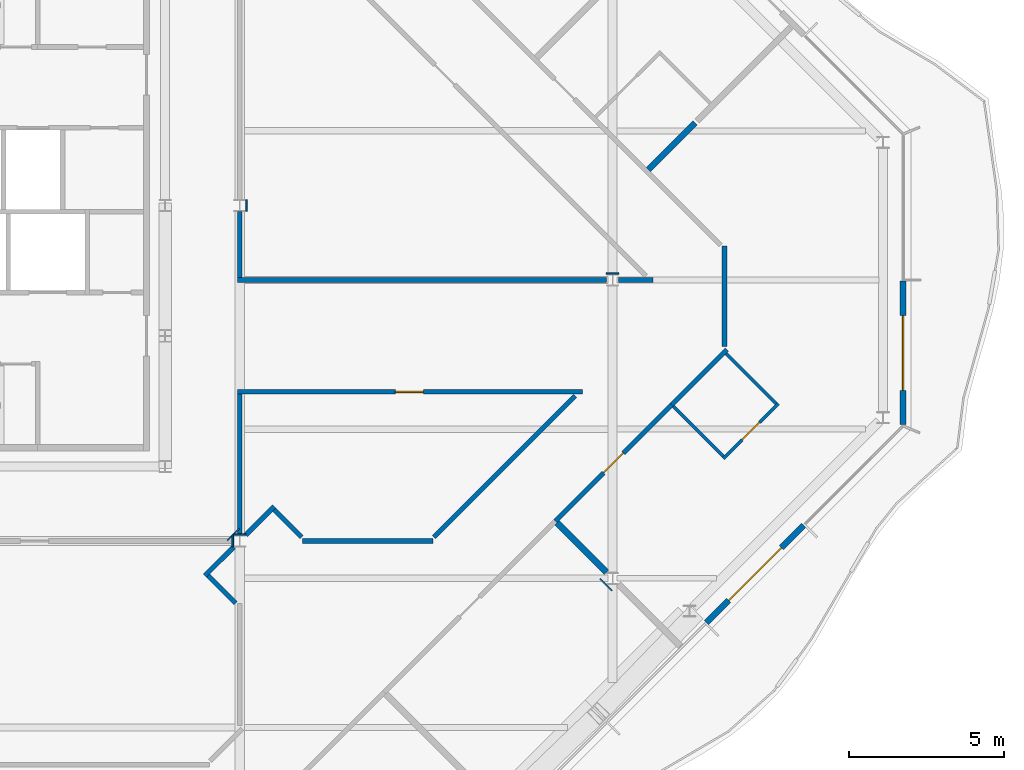
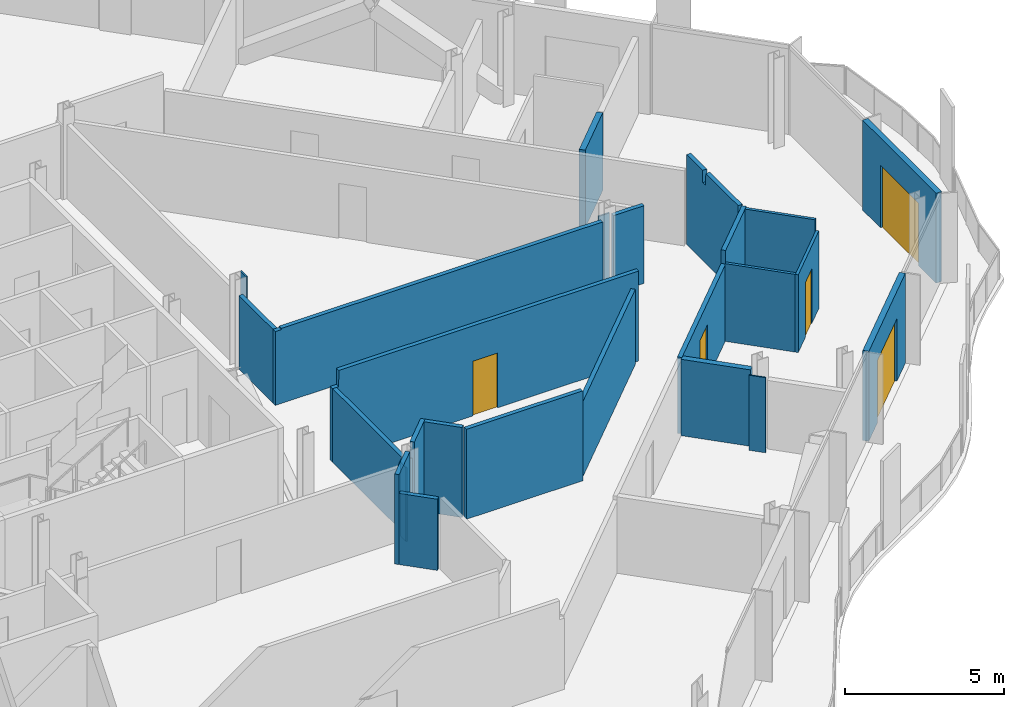
# One storey, part 9 of 16: 27 walls, 5 doors, 5 openings.
"""IFC4 building model written with IfcOpenShell, lengths in metres."""

from ifc_helpers import new_model, si_unit, direction, frame, frame_2d, origin, place, context, subcontext, project, spatial, polyline, rectangle, outline, extrude, material, layer, layer_set, type_object, element, fill, save


model = new_model("IFC4")

# Units and contexts
model_context = context("Model", 3, precision=1e-05, world=origin(), true_north=direction((0.0, 1.0)))
body_context = subcontext(model_context, "Body", "Model", "MODEL_VIEW")
ifc_project = project(units=[si_unit("LENGTHUNIT", "METRE"), si_unit("AREAUNIT", "SQUARE_METRE"), si_unit("VOLUMEUNIT", "CUBIC_METRE"), si_unit("PLANEANGLEUNIT", "RADIAN"), si_unit("MASSUNIT", "GRAM", prefix="KILO")], contexts=[model_context])

# Site, building, storey
site_placement = place(None, origin())
site = spatial("IfcSite", under=ifc_project, at=site_placement, CompositionType="ELEMENT")
building_placement = place(site_placement, origin())
building = spatial("IfcBuilding", under=site, at=building_placement, Name="Cairn Pilgrim Tower", CompositionType="ELEMENT")
storey_placement = place(building_placement, frame((0.0, 0.0, 288.60009765625)))
storey = spatial("IfcBuildingStorey", under=building, at=storey_placement, Name="L74", CompositionType="ELEMENT", Elevation=288.60009765625)

# Wall, opening, door
ifc_material_1 = material(Name="Bronze anodised aluminium insulated sandwich panel with mineral wool fill", Category="aluminium")
ifc_layer_1 = layer(ifc_material_1, 0.199951171875)
ifc_layer_set_1 = layer_set([ifc_layer_1], Name="BRONZE INFILL FRAME WALL 200")
wall_type_1 = type_object("IfcWallType", Name="BRONZE INFILL FRAME WALL 200", PredefinedType="NOTDEFINED", material=ifc_layer_set_1)
wall_1_placement = place(storey_placement, frame((34.219970703125, -11.0263671875, 0.0), z_axis=(0.0, 0.0, 1.0), x_axis=(0.707134329907, 0.707079231393, 0.0)))
wall_1 = element("IfcWall", 1, at=wall_1_placement, inside=storey, type_object=wall_type_1, Name="Bronze infill frame wall IW-SE5", PredefinedType="NOTDEFINED", context=body_context, shape_type="SweptSolid", body=[
    extrude(rectangle(XDim=4.430908203125, YDim=0.199951171875, at=frame_2d((2.21533203125, 0.0))), origin(), (0.0, 0.0, 1.0), 3.449951171875),
])
opening_1_placement = place(wall_1_placement, frame((1.01513671875, 0.0, 0.0)))
opening_1 = element("IfcOpeningElement", 2, at=opening_1_placement, cuts=wall_1, Name="Opening 7403B", PredefinedType="OPENING", context=body_context, shape_type="SweptSolid", body=[
    extrude(rectangle(XDim=2.39990234375, YDim=2.39990234375, at=frame_2d((1.199951171875, 1.199951171875))), frame((0.0, 0.10986328125, 0.0), z_axis=(0.0, -1.0, 0.0), x_axis=(1.0, 0.0, 0.0)), (0.0, 0.0, 1.0), 0.219970703125),
])
ifc_material_2 = material(Name="Bronze anodised aluminium frame with tinted low-E glass", Category="aluminium")
door_type_1 = type_object("IfcDoorType", Name="BALCONY SLIDING DOOR 2400x2400", OperationType="DOUBLE_DOOR_SLIDING", PredefinedType="DOOR", material=ifc_material_2)
door_1_placement = place(opening_1_placement, origin())
door_1 = element("IfcDoor", 3, at=door_1_placement, inside=storey, type_object=door_type_1, Name="Balcony sliding door 7403B", OperationType="SINGLE_SWING_LEFT", OverallHeight=2.39990234375, OverallWidth=2.39990234375, PredefinedType="DOOR", context=body_context, shape_type="SweptSolid", body=[
    extrude(rectangle(XDim=2.39990234375, YDim=2.39990234375, at=frame_2d((1.199951171875, 1.199951171875))), frame((0.0, 0.02490234375, 0.0), z_axis=(0.0, -1.0, 0.0), x_axis=(1.0, 0.0, 0.0)), (0.0, 0.0, 1.0), 0.050048828125),
])
fill(opening_1, door_1)

wall_2_placement = place(storey_placement, frame((40.550048828125, -4.656494140625, 0.0), z_axis=(0.0, 0.0, 1.0), x_axis=(0.0, 1.0, 0.0)))
wall_2 = element("IfcWall", 4, at=wall_2_placement, inside=storey, type_object=wall_type_1, Name="Bronze infill frame wall IW-E1", PredefinedType="NOTDEFINED", context=body_context, shape_type="SweptSolid", body=[
    extrude(rectangle(XDim=4.62646484375, YDim=0.199951171875, at=frame_2d((2.313232421875, 0.0))), origin(), (0.0, 0.0, 1.0), 3.449951171875),
])
opening_2_placement = place(wall_2_placement, frame((1.1083984375, 0.0, 0.0)))
opening_2 = element("IfcOpeningElement", 5, at=opening_2_placement, cuts=wall_2, Name="Opening 7403B2", PredefinedType="OPENING", context=body_context, shape_type="SweptSolid", body=[
    extrude(rectangle(XDim=2.39990234375, YDim=2.39990234375, at=frame_2d((1.199951171875, 1.199951171875))), frame((0.0, 0.10986328125, 0.0), z_axis=(0.0, -1.0, 0.0), x_axis=(1.0, 0.0, 0.0)), (0.0, 0.0, 1.0), 0.219970703125),
])
door_2_placement = place(opening_2_placement, origin())
door_2 = element("IfcDoor", 6, at=door_2_placement, inside=storey, type_object=door_type_1, Name="Balcony sliding door 7403B2", OperationType="SINGLE_SWING_LEFT", OverallHeight=2.39990234375, OverallWidth=2.39990234375, PredefinedType="DOOR", context=body_context, shape_type="SweptSolid", body=[
    extrude(rectangle(XDim=2.39990234375, YDim=2.39990234375, at=frame_2d((1.199951171875, 1.199951171875))), frame((0.0, 0.02490234375, 0.0), z_axis=(0.0, -1.0, 0.0), x_axis=(1.0, 0.0, 0.0)), (0.0, 0.0, 1.0), 0.050048828125),
])
fill(opening_2, door_2)

# Wall
ifc_material_3 = material(Name="Gypsum partition")
ifc_layer_2 = layer(ifc_material_3, 0.10009765625)
ifc_layer_set_2 = layer_set([ifc_layer_2], Name="PARTITION 100 DRYWALL")
wall_type_2 = type_object("IfcWallType", Name="PARTITION 100 DRYWALL", PredefinedType="PARTITIONING", material=ifc_layer_set_2)
wall_3_placement = place(storey_placement, frame((34.7646484375, -5.673583984375, 0.0), z_axis=(0.0, 0.0, 1.0), x_axis=(-0.707106781187, 0.707106781187, 0.0)))
element("IfcWall", 7, at=wall_3_placement, inside=storey, type_object=wall_type_2, Name="PARTITION W032", PredefinedType="PARTITIONING", context=body_context, shape_type="SweptSolid", body=[
    extrude(rectangle(XDim=2.27490234375, YDim=0.10009765625, at=frame_2d((1.137451171875, 0.0))), origin(), (0.0, 0.0, 1.0), 2.97998046875),
])

# Wall, opening, door
wall_4_placement = place(storey_placement, frame((34.7646484375, -5.744384765625, 0.0), z_axis=(0.0, 0.0, 1.0), x_axis=(0.707106781187, 0.707106781187, 0.0)))
wall_4 = element("IfcWall", 8, at=wall_4_placement, inside=storey, type_object=wall_type_2, Name="PARTITION W033", PredefinedType="PARTITIONING", context=body_context, shape_type="SweptSolid", body=[
    extrude(rectangle(XDim=2.499755859375, YDim=0.10009765625, at=frame_2d((1.25, 0.0))), origin(), (0.0, 0.0, 1.0), 2.97998046875),
])
opening_3_placement = place(wall_4_placement, frame((0.85009765625, 0.0, 0.0)))
opening_3 = element("IfcOpeningElement", 9, at=opening_3_placement, cuts=wall_4, Name="Opening 7403A", PredefinedType="OPENING", context=body_context, shape_type="SweptSolid", body=[
    extrude(rectangle(XDim=0.800048828125, YDim=2.10009765625, at=frame_2d((0.39990234375, 1.050048828125))), frame((0.0, 0.06005859375, 0.0), z_axis=(0.0, -1.0, 0.0), x_axis=(1.0, 0.0, 0.0)), (0.0, 0.0, 1.0), 0.1201171875),
])
ifc_material_4 = material(Name="Timber door leaf", Category="wood")
door_type_2 = type_object("IfcDoorType", Name="WC DOOR 800x2100", OperationType="NOTDEFINED", PredefinedType="DOOR", material=ifc_material_4)
door_3_placement = place(opening_3_placement, frame((0.800048828125, 0.0, 0.0), z_axis=(0.0, 0.0, 1.0), x_axis=(-1.0, 0.0, 0.0)))
door_3 = element("IfcDoor", 10, at=door_3_placement, inside=storey, type_object=door_type_2, Name="DOOR 7403A", OperationType="SINGLE_SWING_LEFT", OverallHeight=2.10009765625, OverallWidth=0.800048828125, PredefinedType="DOOR", context=body_context, shape_type="SweptSolid", body=[
    extrude(rectangle(XDim=0.800048828125, YDim=2.10009765625, at=frame_2d((0.39990234375, 1.050048828125))), frame((0.0, 0.02490234375, 0.0), z_axis=(0.0, -1.0, 0.0), x_axis=(1.0, 0.0, 0.0)), (0.0, 0.0, 1.0), 0.050048828125),
])
fill(opening_3, door_3)

# Walls
wall_5_placement = place(storey_placement, frame((36.461669921875, -3.9765625, 0.0), z_axis=(0.0, 0.0, 1.0), x_axis=(-0.707106781187, 0.707106781187, 0.0)))
element("IfcWall", 11, at=wall_5_placement, inside=storey, type_object=wall_type_2, Name="PARTITION W035", PredefinedType="PARTITIONING", context=body_context, shape_type="SweptSolid", body=[
    extrude(rectangle(XDim=2.27490234375, YDim=0.10009765625, at=frame_2d((1.137451171875, 0.0))), origin(), (0.0, 0.0, 1.0), 3.449951171875),
])
ifc_layer_3 = layer(ifc_material_3, 0.14990234375)
ifc_layer_set_3 = layer_set([ifc_layer_3], Name="PARTITION 150 DRYWALL EI 60")
wall_type_3 = type_object("IfcWallType", Name="PARTITION 150 DRYWALL EI 60", PredefinedType="PARTITIONING", material=ifc_layer_set_3)
wall_6_placement = place(storey_placement, frame((19.072021484375, -10.39306640625, 0.0), z_axis=(0.0, 0.0, 1.0), x_axis=(-0.70740114323, 0.706812296552, 0.0)))
element("IfcWall", 12, at=wall_6_placement, inside=storey, type_object=wall_type_3, Name="PARTITION W019", PredefinedType="PARTITIONING", context=body_context, shape_type="SweptSolid", body=[
    extrude(rectangle(XDim=1.243896484375, YDim=0.14990234375, at=frame_2d((0.6220703125, 0.0))), origin(), (0.0, 0.0, 1.0), 2.72998046875),
])
wall_7_placement = place(storey_placement, frame((18.0859375, -9.513916015625, 0.0), z_axis=(0.0, 0.0, 1.0), x_axis=(0.707200419109, 0.707013130862, 0.0)))
element("IfcWall", 13, at=wall_7_placement, inside=storey, type_object=wall_type_3, Name="PARTITION W020", PredefinedType="PARTITIONING", context=body_context, shape_type="SweptSolid", body=[
    extrude(rectangle(XDim=1.303466796875, YDim=0.14990234375, at=frame_2d((0.65185546875, 0.0))), origin(), (0.0, 0.0, 1.0), 3.449951171875),
])
wall_8_placement = place(storey_placement, frame((21.215087890625, -8.39990234375, 0.0), z_axis=(0.0, 0.0, 1.0), x_axis=(1.0, 0.0, 0.0)))
element("IfcWall", 14, at=wall_8_placement, inside=storey, type_object=wall_type_3, Name="PARTITION W025", PredefinedType="PARTITIONING", context=body_context, shape_type="SweptSolid", body=[
    extrude(rectangle(XDim=4.2119140625, YDim=0.14990234375, at=frame_2d((2.10595703125, 0.0))), origin(), (0.0, 0.0, 1.0), 3.449951171875),
])
wall_9_placement = place(storey_placement, frame((21.193115234375, -8.27197265625, 0.0), z_axis=(0.0, 0.0, 1.0), x_axis=(-0.706812296552, 0.70740114323, 0.0)))
element("IfcWall", 15, at=wall_9_placement, inside=storey, type_object=wall_type_3, Name="PARTITION W026", PredefinedType="PARTITIONING", context=body_context, shape_type="SweptSolid", body=[
    extrude(rectangle(XDim=1.243896484375, YDim=0.14990234375, at=frame_2d((0.6220703125, 0.0))), origin(), (0.0, 0.0, 1.0), 3.449951171875),
])
wall_10_placement = place(storey_placement, frame((25.448974609375, -8.27197265625, 0.0), z_axis=(0.0, 0.0, 1.0), x_axis=(0.707106781187, 0.707106781187, 0.0)))
element("IfcWall", 16, at=wall_10_placement, inside=storey, type_object=wall_type_3, Name="PARTITION W027", PredefinedType="PARTITIONING", context=body_context, shape_type="SweptSolid", body=[
    extrude(rectangle(XDim=6.426025390625, YDim=0.14990234375, at=frame_2d((3.212890625, 0.0))), origin(), (0.0, 0.0, 1.0), 2.8798828125),
])
wall_11_placement = place(storey_placement, frame((19.199951171875, -8.21240234375, 0.0), z_axis=(0.0, 0.0, 1.0), x_axis=(0.0, 1.0, 0.0)))
element("IfcWall", 17, at=wall_11_placement, inside=storey, type_object=wall_type_3, Name="PARTITION W029", PredefinedType="PARTITIONING", context=body_context, shape_type="SweptSolid", body=[
    extrude(rectangle(XDim=4.537353515625, YDim=0.14990234375, at=frame_2d((2.2685546875, 0.0))), origin(), (0.0, 0.0, 1.0), 2.829833984375),
])
wall_12_placement = place(storey_placement, frame((19.392333984375, -8.207763671875, 0.0), z_axis=(0.0, 0.0, 1.0), x_axis=(0.707106781187, 0.707106781187, 0.0)))
element("IfcWall", 18, at=wall_12_placement, inside=storey, type_object=wall_type_3, Name="PARTITION W030", PredefinedType="PARTITIONING", context=body_context, shape_type="SweptSolid", body=[
    extrude(rectangle(XDim=1.3037109375, YDim=0.14990234375, at=frame_2d((0.65185546875, 0.0))), origin(), (0.0, 0.0, 1.0), 3.449951171875),
])

# Wall, opening, door
wall_13_placement = place(storey_placement, frame((29.35693359375, -7.757080078125, 0.0), z_axis=(0.0, 0.0, 1.0), x_axis=(0.707198954395, 0.707014595961, 0.0)))
wall_13 = element("IfcWall", 19, at=wall_13_placement, inside=storey, type_object=wall_type_3, Name="PARTITION W031", PredefinedType="PARTITIONING", context=body_context, shape_type="SweptSolid", body=[
    extrude(rectangle(XDim=5.297119140625, YDim=0.14990234375, at=frame_2d((2.6484375, 0.0))), origin(), (0.0, 0.0, 1.0), 2.929931640625),
])
opening_4_placement = place(wall_13_placement, frame((2.197998046875, 0.0, 0.0)))
opening_4 = element("IfcOpeningElement", 20, at=opening_4_placement, cuts=wall_13, Name="Opening 7403", PredefinedType="OPENING", context=body_context, shape_type="SweptSolid", body=[
    extrude(rectangle(XDim=0.89990234375, YDim=2.10009765625, at=frame_2d((0.449951171875, 1.050048828125))), frame((0.0, 0.0849609375, 0.0), z_axis=(0.0, -1.0, 0.0), x_axis=(1.0, 0.0, 0.0)), (0.0, 0.0, 1.0), 0.169921875),
])
door_type_3 = type_object("IfcDoorType", Name="ROOM DOOR 900x2100 FD30S", OperationType="NOTDEFINED", PredefinedType="DOOR", material=ifc_material_4)
door_4_placement = place(opening_4_placement, frame((0.89990234375, 0.0, 0.0), z_axis=(0.0, 0.0, 1.0), x_axis=(-1.0, 0.0, 0.0)))
door_4 = element("IfcDoor", 21, at=door_4_placement, inside=storey, type_object=door_type_3, Name="DOOR 7403", OperationType="SINGLE_SWING_LEFT", OverallHeight=2.10009765625, OverallWidth=0.89990234375, PredefinedType="DOOR", context=body_context, shape_type="SweptSolid", body=[
    extrude(rectangle(XDim=0.89990234375, YDim=2.10009765625, at=frame_2d((0.449951171875, 1.050048828125))), frame((0.0, 0.02490234375, 0.0), z_axis=(0.0, -1.0, 0.0), x_axis=(1.0, 0.0, 0.0)), (0.0, 0.0, 1.0), 0.050048828125),
])
fill(opening_4, door_4)

# Wall
wall_14_placement = place(storey_placement, frame((33.10302734375, -4.011962890625, 0.0), z_axis=(0.0, 0.0, 1.0), x_axis=(0.707106781187, 0.707106781187, 0.0)))
element("IfcWall", 22, at=wall_14_placement, inside=storey, type_object=wall_type_3, Name="PARTITION W034", PredefinedType="PARTITIONING", context=body_context, shape_type="SweptSolid", body=[
    extrude(rectangle(XDim=2.505859375, YDim=0.14990234375, at=frame_2d((1.2529296875, 0.0))), origin(), (0.0, 0.0, 1.0), 3.449951171875),
])

# Wall, opening, door
wall_15_placement = place(storey_placement, frame((19.125, -3.60009765625, 0.0), z_axis=(0.0, 0.0, 1.0), x_axis=(1.0, 0.0, 0.0)))
wall_15 = element("IfcWall", 23, at=wall_15_placement, inside=storey, type_object=wall_type_3, Name="PARTITION W036", PredefinedType="PARTITIONING", context=body_context, shape_type="SweptSolid", body=[
    extrude(outline(polyline([(0.0, 0.0), (11.10205078125, 0.0), (11.10205078125, 3.449951171875), (0.22509765625, 3.449951171875), (0.222900390625, 2.829833984375), (0.0, 2.829833984375), (0.0, 0.0)])), frame((0.0, 0.074951171875, 0.0), z_axis=(0.0, -1.0, 0.0), x_axis=(1.0, 0.0, 0.0)), (0.0, 0.0, 1.0), 0.14990234375),
])
opening_5_placement = place(wall_15_placement, frame((5.0859375, 0.0, 0.0)))
opening_5 = element("IfcOpeningElement", 24, at=opening_5_placement, cuts=wall_15, Name="Opening 7411", PredefinedType="OPENING", context=body_context, shape_type="SweptSolid", body=[
    extrude(rectangle(XDim=0.89990234375, YDim=2.10009765625, at=frame_2d((0.449951171875, 1.050048828125))), frame((0.0, 0.0849609375, 0.0), z_axis=(0.0, -1.0, 0.0), x_axis=(1.0, 0.0, 0.0)), (0.0, 0.0, 1.0), 0.169921875),
])
door_type_4 = type_object("IfcDoorType", Name="SERVICE DOOR 900x2100 FD30S", OperationType="NOTDEFINED", PredefinedType="DOOR", material=ifc_material_4)
door_5_placement = place(opening_5_placement, frame((0.89990234375, 0.0, 0.0), z_axis=(0.0, 0.0, 1.0), x_axis=(-1.0, 0.0, 0.0)))
door_5 = element("IfcDoor", 25, at=door_5_placement, inside=storey, type_object=door_type_4, Name="DOOR 7411", OperationType="SINGLE_SWING_RIGHT", OverallHeight=2.10009765625, OverallWidth=0.89990234375, PredefinedType="DOOR", context=body_context, shape_type="SweptSolid", body=[
    extrude(rectangle(XDim=0.89990234375, YDim=2.10009765625, at=frame_2d((0.449951171875, 1.050048828125))), frame((0.0, 0.02490234375, 0.0), z_axis=(0.0, -1.0, 0.0), x_axis=(1.0, 0.0, 0.0)), (0.0, 0.0, 1.0), 0.050048828125),
])
fill(opening_5, door_5)

# Walls
wall_16_placement = place(storey_placement, frame((34.800048828125, -2.1337890625, 0.0), z_axis=(0.0, 0.0, 1.0), x_axis=(0.0, 1.0, 0.0)))
element("IfcWall", 26, at=wall_16_placement, inside=storey, type_object=wall_type_3, Name="PARTITION W037", PredefinedType="PARTITIONING", context=body_context, shape_type="SweptSolid", body=[
    extrude(outline(polyline([(0.0, 0.0), (3.23388671875, 0.0), (3.23388671875, 3.449951171875), (2.22900390625, 3.449951171875), (2.226806640625, 2.97998046875), (2.038818359375, 2.97998046875), (2.036865234375, 3.449951171875), (0.0, 3.449951171875), (0.0, 0.0)])), frame((0.0, 0.074951171875, 0.0), z_axis=(0.0, -1.0, 0.0), x_axis=(1.0, 0.0, 0.0)), (0.0, 0.0, 1.0), 0.14990234375),
])
wall_17_placement = place(storey_placement, frame((19.125, 0.0, 0.0), z_axis=(0.0, 0.0, 1.0), x_axis=(1.0, 0.0, 0.0)))
element("IfcWall", 27, at=wall_17_placement, inside=storey, type_object=wall_type_3, Name="PARTITION W038", PredefinedType="PARTITIONING", context=body_context, shape_type="SweptSolid", body=[
    extrude(outline(polyline([(0.0, 0.0), (11.8779296875, 0.0), (11.8779296875, 2.8798828125), (0.22509765625, 2.8798828125), (0.222900390625, 2.829833984375), (0.0, 2.829833984375), (0.0, 0.0)])), frame((0.0, 0.074951171875, 0.0), z_axis=(0.0, -1.0, 0.0), x_axis=(1.0, 0.0, 0.0)), (0.0, 0.0, 1.0), 0.14990234375),
])
wall_18_placement = place(storey_placement, frame((31.39697265625, 0.0, 0.0), z_axis=(0.0, 0.0, 1.0), x_axis=(1.0, 0.0, 0.0)))
element("IfcWall", 28, at=wall_18_placement, inside=storey, type_object=wall_type_3, Name="PARTITION W039", PredefinedType="PARTITIONING", context=body_context, shape_type="SweptSolid", body=[
    extrude(rectangle(XDim=1.109130859375, YDim=0.14990234375, at=frame_2d((0.5546875, 0.0))), origin(), (0.0, 0.0, 1.0), 2.97998046875),
])
wall_19_placement = place(storey_placement, frame((19.199951171875, 0.074951171875, 0.0), z_axis=(0.0, 0.0, 1.0), x_axis=(0.0, 1.0, 0.0)))
element("IfcWall", 29, at=wall_19_placement, inside=storey, type_object=wall_type_3, Name="PARTITION W040", PredefinedType="PARTITIONING", context=body_context, shape_type="SweptSolid", body=[
    extrude(rectangle(XDim=2.137451171875, YDim=0.14990234375, at=frame_2d((1.06884765625, 0.0))), origin(), (0.0, 0.0, 1.0), 2.829833984375),
])
ifc_layer_4 = layer(ifc_material_3, 0.050048828125)
ifc_layer_set_4 = layer_set([ifc_layer_4], Name="PARTITION 50 DRYWALL EI 60")
wall_type_4 = type_object("IfcWallType", Name="PARTITION 50 DRYWALL EI 60", PredefinedType="PARTITIONING", material=ifc_layer_set_4)
wall_20_placement = place(storey_placement, frame((31.182373046875, -10.002197265625, 0.0), z_axis=(0.0, 0.0, 1.0), x_axis=(-0.707106781187, 0.707106781187, 0.0)))
element("IfcWall", 30, at=wall_20_placement, inside=storey, type_object=wall_type_4, Name="COLUMN CASING WC02", PredefinedType="PARTITIONING", context=body_context, shape_type="SweptSolid", body=[
    extrude(rectangle(XDim=0.543701171875, YDim=0.050048828125, at=frame_2d((0.27197265625, 0.0))), origin(), (0.0, 0.0, 1.0), 2.8798828125),
])
wall_21_placement = place(storey_placement, frame((18.7978515625, -8.38232421875, 0.0), z_axis=(0.0, 0.0, 1.0), x_axis=(0.707106781187, 0.707106781187, 0.0)))
element("IfcWall", 31, at=wall_21_placement, inside=storey, type_object=wall_type_4, Name="COLUMN CASING WC04", PredefinedType="PARTITIONING", context=body_context, shape_type="SweptSolid", body=[
    extrude(rectangle(XDim=0.543701171875, YDim=0.050048828125, at=frame_2d((0.27197265625, 0.0))), origin(), (0.0, 0.0, 1.0), 2.829833984375),
])
wall_22_placement = place(storey_placement, frame((19.0029296875, -8.1875, 0.0), z_axis=(0.0, 0.0, 1.0), x_axis=(1.0, 0.0, 0.0)))
element("IfcWall", 32, at=wall_22_placement, inside=storey, type_object=wall_type_4, Name="COLUMN CASING WC10", PredefinedType="PARTITIONING", context=body_context, shape_type="SweptSolid", body=[
    extrude(rectangle(XDim=0.39404296875, YDim=0.050048828125, at=frame_2d((0.197021484375, 0.0))), origin(), (0.0, 0.0, 1.0), 2.829833984375),
])
wall_23_placement = place(storey_placement, frame((18.97802734375, -8.58740234375, 0.0), z_axis=(0.0, 0.0, 1.0), x_axis=(0.0, 1.0, 0.0)))
element("IfcWall", 33, at=wall_23_placement, inside=storey, type_object=wall_type_4, Name="COLUMN CASING WC11", PredefinedType="PARTITIONING", context=body_context, shape_type="SweptSolid", body=[
    extrude(rectangle(XDim=0.375, YDim=0.050048828125, at=frame_2d((0.1875, 0.0))), origin(), (0.0, 0.0, 1.0), 2.829833984375),
])
wall_24_placement = place(storey_placement, frame((31.0029296875, 0.21240234375, 0.0), z_axis=(0.0, 0.0, 1.0), x_axis=(1.0, 0.0, 0.0)))
element("IfcWall", 34, at=wall_24_placement, inside=storey, type_object=wall_type_4, Name="COLUMN CASING WC12", PredefinedType="PARTITIONING", context=body_context, shape_type="SweptSolid", body=[
    extrude(rectangle(XDim=0.39404296875, YDim=0.050048828125, at=frame_2d((0.197021484375, 0.0))), origin(), (0.0, 0.0, 1.0), 2.929931640625),
])
wall_25_placement = place(storey_placement, frame((19.422119140625, 2.21240234375, 0.0), z_axis=(0.0, 0.0, 1.0), x_axis=(0.0, 1.0, 0.0)))
element("IfcWall", 35, at=wall_25_placement, inside=storey, type_object=wall_type_4, Name="COLUMN CASING WC13", PredefinedType="PARTITIONING", context=body_context, shape_type="SweptSolid", body=[
    extrude(rectangle(XDim=0.375, YDim=0.050048828125, at=frame_2d((0.1875, 0.0))), origin(), (0.0, 0.0, 1.0), 3.449951171875),
])
ifc_layer_5 = layer(ifc_material_3, 0.199951171875)
ifc_layer_set_5 = layer_set([ifc_layer_5], Name="SHAFT WALL 200 GYPSUM EI 60")
wall_type_5 = type_object("IfcWallType", Name="SHAFT WALL 200 GYPSUM EI 60", PredefinedType="PARTITIONING", material=ifc_layer_set_5)
wall_26_placement = place(storey_placement, frame((31.0078125, -9.40771484375, 0.0), z_axis=(0.0, 0.0, 1.0), x_axis=(-0.707160802102, 0.707052756143, 0.0)))
element("IfcWall", 36, at=wall_26_placement, inside=storey, type_object=wall_type_5, Name="PARTITION W021", PredefinedType="PARTITIONING", context=body_context, shape_type="SweptSolid", body=[
    extrude(rectangle(XDim=2.259521484375, YDim=0.199951171875, at=frame_2d((1.1298828125, 0.0))), origin(), (0.0, 0.0, 1.0), 2.929931640625),
])
wall_27_placement = place(storey_placement, frame((32.35107421875, 3.549072265625, 0.0), z_axis=(0.0, 0.0, 1.0), x_axis=(0.706934449228, 0.707279071156, 0.0)))
element("IfcWall", 37, at=wall_27_placement, inside=storey, type_object=wall_type_5, Name="PARTITION W045", PredefinedType="PARTITIONING", context=body_context, shape_type="SweptSolid", body=[
    extrude(rectangle(XDim=2.125244140625, YDim=0.199951171875, at=frame_2d((1.0625, 0.0))), origin(), (0.0, 0.0, 1.0), 2.97998046875),
])

save(model, "model.ifc")
